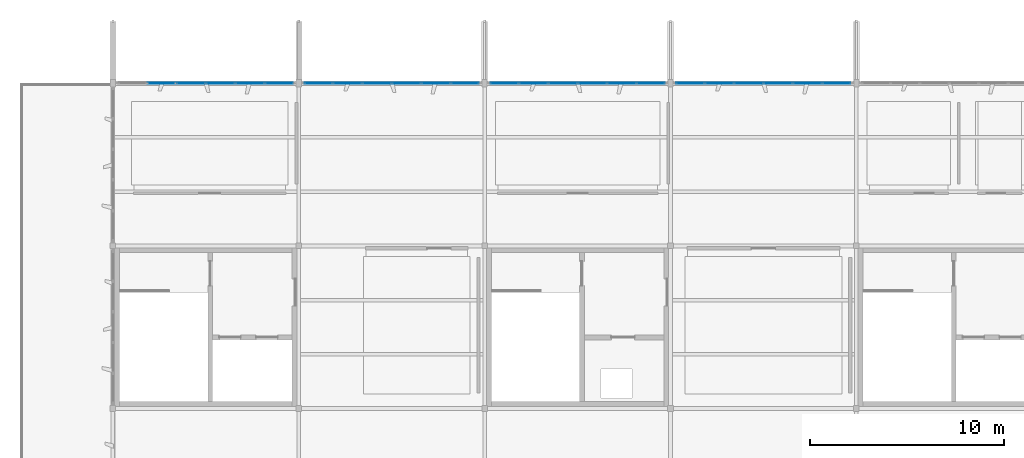
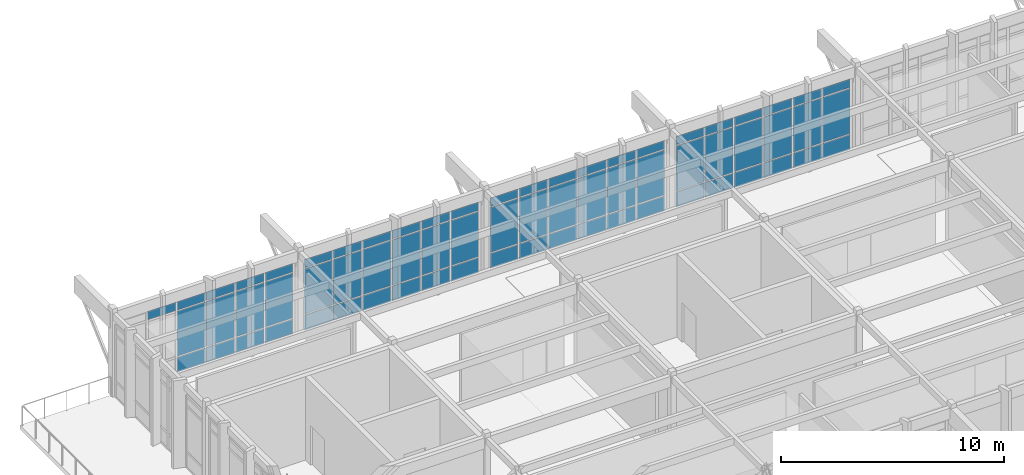
# One storey, part 14 of 19: 67 plates, 4 elements without a shape of their own.
"""IFC4 building model written with IfcOpenShell, lengths in metres."""

from ifc_helpers import new_model, si_unit, direction, frame, origin, origin_2d, place, context, subcontext, project, spatial, rectangle, extrude, material, layer, layer_set, type_object, element, aggregate, save


model = new_model("IFC4")

# Units and contexts
model_context = context("Model", 3, precision=1e-05, world=origin(), true_north=direction((0.0, 1.0)))
body_context = subcontext(model_context, "Body", "Model", "MODEL_VIEW")
ifc_project = project(units=[si_unit("LENGTHUNIT", "METRE"), si_unit("AREAUNIT", "SQUARE_METRE"), si_unit("VOLUMEUNIT", "CUBIC_METRE"), si_unit("PLANEANGLEUNIT", "RADIAN"), si_unit("MASSUNIT", "GRAM", prefix="KILO")], contexts=[model_context])

# Site, building, storey
site_placement = place(None, origin())
site = spatial("IfcSite", under=ifc_project, at=site_placement, CompositionType="ELEMENT")
building_placement = place(site_placement, origin())
building = spatial("IfcBuilding", under=site, at=building_placement, Name="Kolvemor Railside Polytechnic", CompositionType="ELEMENT")
storey_placement = place(building_placement, frame((0.0, 0.0, 27.0)))
storey = spatial("IfcBuildingStorey", under=building, at=storey_placement, Name="L06", CompositionType="ELEMENT", Elevation=27.0)

# Curtain wall, plates
ifc_material_1 = material(Name="Anodised marine aluminium and laminated low-E glass", Category="aluminium")
ifc_layer_1 = layer(ifc_material_1, 0.179931640625, Name="CW-STICK-LIB")
ifc_layer_set_1 = layer_set([ifc_layer_1], Name="Anodised marine aluminium and laminated low-E glass")
curtain_wall_type = type_object("IfcCurtainWallType", Name="CW-STICK-LIB", PredefinedType="USERDEFINED", material=ifc_layer_set_1)
curtain_wall_1_placement = place(storey_placement, origin())
curtain_wall_1 = element("IfcCurtainWall", 1, at=curtain_wall_1_placement, inside=storey, type_object=curtain_wall_type, Name="Curtain Wall L06-141", ObjectType="STICK GLAZED SCREEN", PredefinedType="USERDEFINED")
ifc_material_2 = material(Name="Hurricane-laminated solar-control low-E glass", Category="glass")
ifc_layer_2 = layer(ifc_material_2, 0.033935546875, Name="CWP-GLZ-07")
ifc_layer_set_2 = layer_set([ifc_layer_2], Name="Hurricane-laminated solar-control low-E glass")
plate_type_1 = type_object("IfcPlateType", Name="CWP-GLZ-07", PredefinedType="CURTAIN_PANEL", material=ifc_layer_set_2)
plate_1_placement = place(storey_placement, frame((75.78369140625, 38.39990234375, 0.06494140625), z_axis=(0.0, 0.0, 1.0), x_axis=(-1.0, 0.0, 0.0)))
plate_1 = element("IfcPlate", 2, at=plate_1_placement, type_object=plate_type_1, Name="CW-LIB panel 1.1", PredefinedType="CURTAIN_PANEL", context=body_context, shape_type="SweptSolid", body=[
    extrude(rectangle(XDim=1.422607421875, YDim=0.033935546875, at=origin_2d()), origin(), (0.0, 0.0, 1.0), 0.802490234375),
])
plate_2_placement = place(storey_placement, frame((75.78369140625, 38.39990234375, 0.9326171875), z_axis=(0.0, 0.0, 1.0), x_axis=(-1.0, 0.0, 0.0)))
plate_2 = element("IfcPlate", 3, at=plate_2_placement, type_object=plate_type_1, Name="CW-LIB panel 1.2", PredefinedType="CURTAIN_PANEL", context=body_context, shape_type="SweptSolid", body=[
    extrude(rectangle(XDim=1.422607421875, YDim=0.033935546875, at=origin_2d()), origin(), (0.0, 0.0, 1.0), 2.449951171875),
])
plate_3_placement = place(storey_placement, frame((75.78369140625, 38.39990234375, 3.44775390625), z_axis=(0.0, 0.0, 1.0), x_axis=(-1.0, 0.0, 0.0)))
plate_3 = element("IfcPlate", 4, at=plate_3_placement, type_object=plate_type_1, Name="CW-LIB panel 1.3", PredefinedType="CURTAIN_PANEL", context=body_context, shape_type="SweptSolid", body=[
    extrude(rectangle(XDim=1.422607421875, YDim=0.033935546875, at=origin_2d()), origin(), (0.0, 0.0, 1.0), 0.452392578125),
])
plate_4_placement = place(storey_placement, frame((74.280029296875, 38.39990234375, 0.06494140625), z_axis=(0.0, 0.0, 1.0), x_axis=(-1.0, 0.0, 0.0)))
plate_4 = element("IfcPlate", 5, at=plate_4_placement, type_object=plate_type_1, Name="CW-LIB panel 2.1", PredefinedType="CURTAIN_PANEL", context=body_context, shape_type="SweptSolid", body=[
    extrude(rectangle(XDim=1.455078125, YDim=0.033935546875, at=origin_2d()), origin(), (0.0, 0.0, 1.0), 0.802490234375),
])
plate_5_placement = place(storey_placement, frame((74.280029296875, 38.39990234375, 0.9326171875), z_axis=(0.0, 0.0, 1.0), x_axis=(-1.0, 0.0, 0.0)))
plate_5 = element("IfcPlate", 6, at=plate_5_placement, type_object=plate_type_1, Name="CW-LIB panel 2.2", PredefinedType="CURTAIN_PANEL", context=body_context, shape_type="SweptSolid", body=[
    extrude(rectangle(XDim=1.455078125, YDim=0.033935546875, at=origin_2d()), origin(), (0.0, 0.0, 1.0), 2.449951171875),
])
plate_6_placement = place(storey_placement, frame((74.280029296875, 38.39990234375, 3.44775390625), z_axis=(0.0, 0.0, 1.0), x_axis=(-1.0, 0.0, 0.0)))
plate_6 = element("IfcPlate", 7, at=plate_6_placement, type_object=plate_type_1, Name="CW-LIB panel 2.3", PredefinedType="CURTAIN_PANEL", context=body_context, shape_type="SweptSolid", body=[
    extrude(rectangle(XDim=1.455078125, YDim=0.033935546875, at=origin_2d()), origin(), (0.0, 0.0, 1.0), 0.452392578125),
])
plate_7_placement = place(storey_placement, frame((72.760009765625, 38.39990234375, 0.06494140625), z_axis=(0.0, 0.0, 1.0), x_axis=(-1.0, 0.0, 0.0)))
plate_7 = element("IfcPlate", 8, at=plate_7_placement, type_object=plate_type_1, Name="CW-LIB panel 3.1", PredefinedType="CURTAIN_PANEL", context=body_context, shape_type="SweptSolid", body=[
    extrude(rectangle(XDim=1.455078125, YDim=0.033935546875, at=origin_2d()), origin(), (0.0, 0.0, 1.0), 0.802490234375),
])
plate_8_placement = place(storey_placement, frame((72.760009765625, 38.39990234375, 0.9326171875), z_axis=(0.0, 0.0, 1.0), x_axis=(-1.0, 0.0, 0.0)))
plate_8 = element("IfcPlate", 9, at=plate_8_placement, type_object=plate_type_1, Name="CW-LIB panel 3.2", PredefinedType="CURTAIN_PANEL", context=body_context, shape_type="SweptSolid", body=[
    extrude(rectangle(XDim=1.455078125, YDim=0.033935546875, at=origin_2d()), origin(), (0.0, 0.0, 1.0), 2.449951171875),
])
plate_9_placement = place(storey_placement, frame((72.760009765625, 38.39990234375, 3.44775390625), z_axis=(0.0, 0.0, 1.0), x_axis=(-1.0, 0.0, 0.0)))
plate_9 = element("IfcPlate", 10, at=plate_9_placement, type_object=plate_type_1, Name="CW-LIB panel 3.3", PredefinedType="CURTAIN_PANEL", context=body_context, shape_type="SweptSolid", body=[
    extrude(rectangle(XDim=1.455078125, YDim=0.033935546875, at=origin_2d()), origin(), (0.0, 0.0, 1.0), 0.452392578125),
])
plate_10_placement = place(storey_placement, frame((71.239990234375, 38.39990234375, 0.06494140625), z_axis=(0.0, 0.0, 1.0), x_axis=(-1.0, 0.0, 0.0)))
plate_10 = element("IfcPlate", 11, at=plate_10_placement, type_object=plate_type_1, Name="CW-LIB panel 4.1", PredefinedType="CURTAIN_PANEL", context=body_context, shape_type="SweptSolid", body=[
    extrude(rectangle(XDim=1.455078125, YDim=0.033935546875, at=origin_2d()), origin(), (0.0, 0.0, 1.0), 0.802490234375),
])
plate_11_placement = place(storey_placement, frame((71.239990234375, 38.39990234375, 0.9326171875), z_axis=(0.0, 0.0, 1.0), x_axis=(-1.0, 0.0, 0.0)))
plate_11 = element("IfcPlate", 12, at=plate_11_placement, type_object=plate_type_1, Name="CW-LIB panel 4.2", PredefinedType="CURTAIN_PANEL", context=body_context, shape_type="SweptSolid", body=[
    extrude(rectangle(XDim=1.455078125, YDim=0.033935546875, at=origin_2d()), origin(), (0.0, 0.0, 1.0), 2.449951171875),
])
plate_12_placement = place(storey_placement, frame((71.239990234375, 38.39990234375, 3.44775390625), z_axis=(0.0, 0.0, 1.0), x_axis=(-1.0, 0.0, 0.0)))
plate_12 = element("IfcPlate", 13, at=plate_12_placement, type_object=plate_type_1, Name="CW-LIB panel 4.3", PredefinedType="CURTAIN_PANEL", context=body_context, shape_type="SweptSolid", body=[
    extrude(rectangle(XDim=1.455078125, YDim=0.033935546875, at=origin_2d()), origin(), (0.0, 0.0, 1.0), 0.452392578125),
])
plate_13_placement = place(storey_placement, frame((69.719970703125, 38.39990234375, 3.44775390625), z_axis=(0.0, 0.0, 1.0), x_axis=(-1.0, 0.0, 0.0)))
plate_13 = element("IfcPlate", 14, at=plate_13_placement, type_object=plate_type_1, Name="CW-LIB panel 5.3", PredefinedType="CURTAIN_PANEL", context=body_context, shape_type="SweptSolid", body=[
    extrude(rectangle(XDim=1.455078125, YDim=0.033935546875, at=origin_2d()), origin(), (0.0, 0.0, 1.0), 0.452392578125),
])
aggregate(curtain_wall_1, [plate_1, plate_2, plate_3, plate_4, plate_5, plate_6, plate_7, plate_8, plate_9, plate_10, plate_11, plate_12, plate_13])

curtain_wall_2_placement = place(storey_placement, origin())
curtain_wall_2 = element("IfcCurtainWall", 15, at=curtain_wall_2_placement, inside=storey, type_object=curtain_wall_type, Name="Curtain Wall L06-143", ObjectType="STICK GLAZED SCREEN", PredefinedType="USERDEFINED")
ifc_material_3 = material(Name="Hurricane-laminated solar-control low-E glass", Category="glass")
ifc_layer_3 = layer(ifc_material_3, 0.035888671875, Name="CWP-GLZ-08")
ifc_layer_set_3 = layer_set([ifc_layer_3], Name="Hurricane-laminated solar-control low-E glass")
plate_type_2 = type_object("IfcPlateType", Name="CWP-GLZ-08", PredefinedType="CURTAIN_PANEL", material=ifc_layer_set_3)
plate_14_placement = place(storey_placement, frame((85.3837890625, 38.39990234375, 0.06494140625), z_axis=(0.0, 0.0, 1.0), x_axis=(-1.0, 0.0, 0.0)))
plate_14 = element("IfcPlate", 16, at=plate_14_placement, type_object=plate_type_2, Name="CW-LIB panel 1.1", PredefinedType="CURTAIN_PANEL", context=body_context, shape_type="SweptSolid", body=[
    extrude(rectangle(XDim=1.422607421875, YDim=0.035888671875, at=origin_2d()), origin(), (0.0, 0.0, 1.0), 0.802490234375),
])
plate_15_placement = place(storey_placement, frame((85.3837890625, 38.39990234375, 0.9326171875), z_axis=(0.0, 0.0, 1.0), x_axis=(-1.0, 0.0, 0.0)))
plate_15 = element("IfcPlate", 17, at=plate_15_placement, type_object=plate_type_2, Name="CW-LIB panel 1.2", PredefinedType="CURTAIN_PANEL", context=body_context, shape_type="SweptSolid", body=[
    extrude(rectangle(XDim=1.422607421875, YDim=0.035888671875, at=origin_2d()), origin(), (0.0, 0.0, 1.0), 2.449951171875),
])
plate_16_placement = place(storey_placement, frame((85.3837890625, 38.39990234375, 3.44775390625), z_axis=(0.0, 0.0, 1.0), x_axis=(-1.0, 0.0, 0.0)))
plate_16 = element("IfcPlate", 18, at=plate_16_placement, type_object=plate_type_2, Name="CW-LIB panel 1.3", PredefinedType="CURTAIN_PANEL", context=body_context, shape_type="SweptSolid", body=[
    extrude(rectangle(XDim=1.422607421875, YDim=0.035888671875, at=origin_2d()), origin(), (0.0, 0.0, 1.0), 0.452392578125),
])
plate_17_placement = place(storey_placement, frame((83.8798828125, 38.39990234375, 0.06494140625), z_axis=(0.0, 0.0, 1.0), x_axis=(-1.0, 0.0, 0.0)))
plate_17 = element("IfcPlate", 19, at=plate_17_placement, type_object=plate_type_2, Name="CW-LIB panel 2.1", PredefinedType="CURTAIN_PANEL", context=body_context, shape_type="SweptSolid", body=[
    extrude(rectangle(XDim=1.455078125, YDim=0.035888671875, at=origin_2d()), origin(), (0.0, 0.0, 1.0), 0.802490234375),
])
plate_18_placement = place(storey_placement, frame((83.8798828125, 38.39990234375, 0.9326171875), z_axis=(0.0, 0.0, 1.0), x_axis=(-1.0, 0.0, 0.0)))
plate_18 = element("IfcPlate", 20, at=plate_18_placement, type_object=plate_type_2, Name="CW-LIB panel 2.2", PredefinedType="CURTAIN_PANEL", context=body_context, shape_type="SweptSolid", body=[
    extrude(rectangle(XDim=1.455078125, YDim=0.035888671875, at=origin_2d()), origin(), (0.0, 0.0, 1.0), 2.449951171875),
])
plate_19_placement = place(storey_placement, frame((83.8798828125, 38.39990234375, 3.44775390625), z_axis=(0.0, 0.0, 1.0), x_axis=(-1.0, 0.0, 0.0)))
plate_19 = element("IfcPlate", 21, at=plate_19_placement, type_object=plate_type_2, Name="CW-LIB panel 2.3", PredefinedType="CURTAIN_PANEL", context=body_context, shape_type="SweptSolid", body=[
    extrude(rectangle(XDim=1.455078125, YDim=0.035888671875, at=origin_2d()), origin(), (0.0, 0.0, 1.0), 0.452392578125),
])
plate_20_placement = place(storey_placement, frame((82.360107421875, 38.39990234375, 0.06494140625), z_axis=(0.0, 0.0, 1.0), x_axis=(-1.0, 0.0, 0.0)))
plate_20 = element("IfcPlate", 22, at=plate_20_placement, type_object=plate_type_2, Name="CW-LIB panel 3.1", PredefinedType="CURTAIN_PANEL", context=body_context, shape_type="SweptSolid", body=[
    extrude(rectangle(XDim=1.455078125, YDim=0.035888671875, at=origin_2d()), origin(), (0.0, 0.0, 1.0), 0.802490234375),
])
plate_21_placement = place(storey_placement, frame((82.360107421875, 38.39990234375, 0.9326171875), z_axis=(0.0, 0.0, 1.0), x_axis=(-1.0, 0.0, 0.0)))
plate_21 = element("IfcPlate", 23, at=plate_21_placement, type_object=plate_type_2, Name="CW-LIB panel 3.2", PredefinedType="CURTAIN_PANEL", context=body_context, shape_type="SweptSolid", body=[
    extrude(rectangle(XDim=1.455078125, YDim=0.035888671875, at=origin_2d()), origin(), (0.0, 0.0, 1.0), 2.449951171875),
])
plate_22_placement = place(storey_placement, frame((82.360107421875, 38.39990234375, 3.44775390625), z_axis=(0.0, 0.0, 1.0), x_axis=(-1.0, 0.0, 0.0)))
plate_22 = element("IfcPlate", 24, at=plate_22_placement, type_object=plate_type_2, Name="CW-LIB panel 3.3", PredefinedType="CURTAIN_PANEL", context=body_context, shape_type="SweptSolid", body=[
    extrude(rectangle(XDim=1.455078125, YDim=0.035888671875, at=origin_2d()), origin(), (0.0, 0.0, 1.0), 0.452392578125),
])
plate_23_placement = place(storey_placement, frame((80.840087890625, 38.39990234375, 0.06494140625), z_axis=(0.0, 0.0, 1.0), x_axis=(-1.0, 0.0, 0.0)))
plate_23 = element("IfcPlate", 25, at=plate_23_placement, type_object=plate_type_2, Name="CW-LIB panel 4.1", PredefinedType="CURTAIN_PANEL", context=body_context, shape_type="SweptSolid", body=[
    extrude(rectangle(XDim=1.455078125, YDim=0.035888671875, at=origin_2d()), origin(), (0.0, 0.0, 1.0), 0.802490234375),
])
plate_24_placement = place(storey_placement, frame((80.840087890625, 38.39990234375, 0.9326171875), z_axis=(0.0, 0.0, 1.0), x_axis=(-1.0, 0.0, 0.0)))
plate_24 = element("IfcPlate", 26, at=plate_24_placement, type_object=plate_type_2, Name="CW-LIB panel 4.2", PredefinedType="CURTAIN_PANEL", context=body_context, shape_type="SweptSolid", body=[
    extrude(rectangle(XDim=1.455078125, YDim=0.035888671875, at=origin_2d()), origin(), (0.0, 0.0, 1.0), 2.449951171875),
])
plate_25_placement = place(storey_placement, frame((80.840087890625, 38.39990234375, 3.44775390625), z_axis=(0.0, 0.0, 1.0), x_axis=(-1.0, 0.0, 0.0)))
plate_25 = element("IfcPlate", 27, at=plate_25_placement, type_object=plate_type_2, Name="CW-LIB panel 4.3", PredefinedType="CURTAIN_PANEL", context=body_context, shape_type="SweptSolid", body=[
    extrude(rectangle(XDim=1.455078125, YDim=0.035888671875, at=origin_2d()), origin(), (0.0, 0.0, 1.0), 0.452392578125),
])
plate_26_placement = place(storey_placement, frame((79.320068359375, 38.39990234375, 0.06494140625), z_axis=(0.0, 0.0, 1.0), x_axis=(-1.0, 0.0, 0.0)))
plate_26 = element("IfcPlate", 28, at=plate_26_placement, type_object=plate_type_2, Name="CW-LIB panel 5.1", PredefinedType="CURTAIN_PANEL", context=body_context, shape_type="SweptSolid", body=[
    extrude(rectangle(XDim=1.455078125, YDim=0.035888671875, at=origin_2d()), origin(), (0.0, 0.0, 1.0), 0.802490234375),
])
plate_27_placement = place(storey_placement, frame((79.320068359375, 38.39990234375, 0.9326171875), z_axis=(0.0, 0.0, 1.0), x_axis=(-1.0, 0.0, 0.0)))
plate_27 = element("IfcPlate", 29, at=plate_27_placement, type_object=plate_type_2, Name="CW-LIB panel 5.2", PredefinedType="CURTAIN_PANEL", context=body_context, shape_type="SweptSolid", body=[
    extrude(rectangle(XDim=1.455078125, YDim=0.035888671875, at=origin_2d()), origin(), (0.0, 0.0, 1.0), 2.449951171875),
])
plate_28_placement = place(storey_placement, frame((79.320068359375, 38.39990234375, 3.44775390625), z_axis=(0.0, 0.0, 1.0), x_axis=(-1.0, 0.0, 0.0)))
plate_28 = element("IfcPlate", 30, at=plate_28_placement, type_object=plate_type_2, Name="CW-LIB panel 5.3", PredefinedType="CURTAIN_PANEL", context=body_context, shape_type="SweptSolid", body=[
    extrude(rectangle(XDim=1.455078125, YDim=0.035888671875, at=origin_2d()), origin(), (0.0, 0.0, 1.0), 0.452392578125),
])
plate_29_placement = place(storey_placement, frame((77.816162109375, 38.39990234375, 0.06494140625), z_axis=(0.0, 0.0, 1.0), x_axis=(-1.0, 0.0, 0.0)))
plate_29 = element("IfcPlate", 31, at=plate_29_placement, type_object=plate_type_2, Name="CW-LIB panel 6.1", PredefinedType="CURTAIN_PANEL", context=body_context, shape_type="SweptSolid", body=[
    extrude(rectangle(XDim=1.422607421875, YDim=0.035888671875, at=origin_2d()), origin(), (0.0, 0.0, 1.0), 0.802490234375),
])
plate_30_placement = place(storey_placement, frame((77.816162109375, 38.39990234375, 0.9326171875), z_axis=(0.0, 0.0, 1.0), x_axis=(-1.0, 0.0, 0.0)))
plate_30 = element("IfcPlate", 32, at=plate_30_placement, type_object=plate_type_2, Name="CW-LIB panel 6.2", PredefinedType="CURTAIN_PANEL", context=body_context, shape_type="SweptSolid", body=[
    extrude(rectangle(XDim=1.422607421875, YDim=0.035888671875, at=origin_2d()), origin(), (0.0, 0.0, 1.0), 2.449951171875),
])
plate_31_placement = place(storey_placement, frame((77.816162109375, 38.39990234375, 3.44775390625), z_axis=(0.0, 0.0, 1.0), x_axis=(-1.0, 0.0, 0.0)))
plate_31 = element("IfcPlate", 33, at=plate_31_placement, type_object=plate_type_2, Name="CW-LIB panel 6.3", PredefinedType="CURTAIN_PANEL", context=body_context, shape_type="SweptSolid", body=[
    extrude(rectangle(XDim=1.422607421875, YDim=0.035888671875, at=origin_2d()), origin(), (0.0, 0.0, 1.0), 0.452392578125),
])
aggregate(curtain_wall_2, [plate_14, plate_15, plate_16, plate_17, plate_18, plate_19, plate_20, plate_21, plate_22, plate_23, plate_24, plate_25, plate_26, plate_27, plate_28, plate_29, plate_30, plate_31])

curtain_wall_3_placement = place(storey_placement, origin())
curtain_wall_3 = element("IfcCurtainWall", 34, at=curtain_wall_3_placement, inside=storey, type_object=curtain_wall_type, Name="Curtain Wall L06-145", ObjectType="STICK GLAZED SCREEN", PredefinedType="USERDEFINED")
ifc_material_4 = material(Name="Hurricane-laminated solar-control low-E glass", Category="glass")
ifc_layer_4 = layer(ifc_material_4, 0.0380859375, Name="CWP-GLZ-09")
ifc_layer_set_4 = layer_set([ifc_layer_4], Name="Hurricane-laminated solar-control low-E glass")
plate_type_3 = type_object("IfcPlateType", Name="CWP-GLZ-09", PredefinedType="CURTAIN_PANEL", material=ifc_layer_set_4)
plate_32_placement = place(storey_placement, frame((94.983642578125, 38.39990234375, 0.06494140625), z_axis=(0.0, 0.0, 1.0), x_axis=(-1.0, 0.0, 0.0)))
plate_32 = element("IfcPlate", 35, at=plate_32_placement, type_object=plate_type_3, Name="CW-LIB panel 1.1", PredefinedType="CURTAIN_PANEL", context=body_context, shape_type="SweptSolid", body=[
    extrude(rectangle(XDim=1.422607421875, YDim=0.0380859375, at=origin_2d()), origin(), (0.0, 0.0, 1.0), 0.802490234375),
])
plate_33_placement = place(storey_placement, frame((94.983642578125, 38.39990234375, 0.9326171875), z_axis=(0.0, 0.0, 1.0), x_axis=(-1.0, 0.0, 0.0)))
plate_33 = element("IfcPlate", 36, at=plate_33_placement, type_object=plate_type_3, Name="CW-LIB panel 1.2", PredefinedType="CURTAIN_PANEL", context=body_context, shape_type="SweptSolid", body=[
    extrude(rectangle(XDim=1.422607421875, YDim=0.0380859375, at=origin_2d()), origin(), (0.0, 0.0, 1.0), 2.449951171875),
])
plate_34_placement = place(storey_placement, frame((94.983642578125, 38.39990234375, 3.44775390625), z_axis=(0.0, 0.0, 1.0), x_axis=(-1.0, 0.0, 0.0)))
plate_34 = element("IfcPlate", 37, at=plate_34_placement, type_object=plate_type_3, Name="CW-LIB panel 1.3", PredefinedType="CURTAIN_PANEL", context=body_context, shape_type="SweptSolid", body=[
    extrude(rectangle(XDim=1.422607421875, YDim=0.0380859375, at=origin_2d()), origin(), (0.0, 0.0, 1.0), 0.452392578125),
])
plate_35_placement = place(storey_placement, frame((93.47998046875, 38.39990234375, 0.06494140625), z_axis=(0.0, 0.0, 1.0), x_axis=(-1.0, 0.0, 0.0)))
plate_35 = element("IfcPlate", 38, at=plate_35_placement, type_object=plate_type_3, Name="CW-LIB panel 2.1", PredefinedType="CURTAIN_PANEL", context=body_context, shape_type="SweptSolid", body=[
    extrude(rectangle(XDim=1.455078125, YDim=0.0380859375, at=origin_2d()), origin(), (0.0, 0.0, 1.0), 0.802490234375),
])
plate_36_placement = place(storey_placement, frame((93.47998046875, 38.39990234375, 0.9326171875), z_axis=(0.0, 0.0, 1.0), x_axis=(-1.0, 0.0, 0.0)))
plate_36 = element("IfcPlate", 39, at=plate_36_placement, type_object=plate_type_3, Name="CW-LIB panel 2.2", PredefinedType="CURTAIN_PANEL", context=body_context, shape_type="SweptSolid", body=[
    extrude(rectangle(XDim=1.455078125, YDim=0.0380859375, at=origin_2d()), origin(), (0.0, 0.0, 1.0), 2.449951171875),
])
plate_37_placement = place(storey_placement, frame((93.47998046875, 38.39990234375, 3.44775390625), z_axis=(0.0, 0.0, 1.0), x_axis=(-1.0, 0.0, 0.0)))
plate_37 = element("IfcPlate", 40, at=plate_37_placement, type_object=plate_type_3, Name="CW-LIB panel 2.3", PredefinedType="CURTAIN_PANEL", context=body_context, shape_type="SweptSolid", body=[
    extrude(rectangle(XDim=1.455078125, YDim=0.0380859375, at=origin_2d()), origin(), (0.0, 0.0, 1.0), 0.452392578125),
])
plate_38_placement = place(storey_placement, frame((91.9599609375, 38.39990234375, 0.06494140625), z_axis=(0.0, 0.0, 1.0), x_axis=(-1.0, 0.0, 0.0)))
plate_38 = element("IfcPlate", 41, at=plate_38_placement, type_object=plate_type_3, Name="CW-LIB panel 3.1", PredefinedType="CURTAIN_PANEL", context=body_context, shape_type="SweptSolid", body=[
    extrude(rectangle(XDim=1.455078125, YDim=0.0380859375, at=origin_2d()), origin(), (0.0, 0.0, 1.0), 0.802490234375),
])
plate_39_placement = place(storey_placement, frame((91.9599609375, 38.39990234375, 0.9326171875), z_axis=(0.0, 0.0, 1.0), x_axis=(-1.0, 0.0, 0.0)))
plate_39 = element("IfcPlate", 42, at=plate_39_placement, type_object=plate_type_3, Name="CW-LIB panel 3.2", PredefinedType="CURTAIN_PANEL", context=body_context, shape_type="SweptSolid", body=[
    extrude(rectangle(XDim=1.455078125, YDim=0.0380859375, at=origin_2d()), origin(), (0.0, 0.0, 1.0), 2.449951171875),
])
plate_40_placement = place(storey_placement, frame((91.9599609375, 38.39990234375, 3.44775390625), z_axis=(0.0, 0.0, 1.0), x_axis=(-1.0, 0.0, 0.0)))
plate_40 = element("IfcPlate", 43, at=plate_40_placement, type_object=plate_type_3, Name="CW-LIB panel 3.3", PredefinedType="CURTAIN_PANEL", context=body_context, shape_type="SweptSolid", body=[
    extrude(rectangle(XDim=1.455078125, YDim=0.0380859375, at=origin_2d()), origin(), (0.0, 0.0, 1.0), 0.452392578125),
])
plate_41_placement = place(storey_placement, frame((90.43994140625, 38.39990234375, 0.06494140625), z_axis=(0.0, 0.0, 1.0), x_axis=(-1.0, 0.0, 0.0)))
plate_41 = element("IfcPlate", 44, at=plate_41_placement, type_object=plate_type_3, Name="CW-LIB panel 4.1", PredefinedType="CURTAIN_PANEL", context=body_context, shape_type="SweptSolid", body=[
    extrude(rectangle(XDim=1.455078125, YDim=0.0380859375, at=origin_2d()), origin(), (0.0, 0.0, 1.0), 0.802490234375),
])
plate_42_placement = place(storey_placement, frame((90.43994140625, 38.39990234375, 0.9326171875), z_axis=(0.0, 0.0, 1.0), x_axis=(-1.0, 0.0, 0.0)))
plate_42 = element("IfcPlate", 45, at=plate_42_placement, type_object=plate_type_3, Name="CW-LIB panel 4.2", PredefinedType="CURTAIN_PANEL", context=body_context, shape_type="SweptSolid", body=[
    extrude(rectangle(XDim=1.455078125, YDim=0.0380859375, at=origin_2d()), origin(), (0.0, 0.0, 1.0), 2.449951171875),
])
plate_43_placement = place(storey_placement, frame((90.43994140625, 38.39990234375, 3.44775390625), z_axis=(0.0, 0.0, 1.0), x_axis=(-1.0, 0.0, 0.0)))
plate_43 = element("IfcPlate", 46, at=plate_43_placement, type_object=plate_type_3, Name="CW-LIB panel 4.3", PredefinedType="CURTAIN_PANEL", context=body_context, shape_type="SweptSolid", body=[
    extrude(rectangle(XDim=1.455078125, YDim=0.0380859375, at=origin_2d()), origin(), (0.0, 0.0, 1.0), 0.452392578125),
])
plate_44_placement = place(storey_placement, frame((88.919921875, 38.39990234375, 0.06494140625), z_axis=(0.0, 0.0, 1.0), x_axis=(-1.0, 0.0, 0.0)))
plate_44 = element("IfcPlate", 47, at=plate_44_placement, type_object=plate_type_3, Name="CW-LIB panel 5.1", PredefinedType="CURTAIN_PANEL", context=body_context, shape_type="SweptSolid", body=[
    extrude(rectangle(XDim=1.455078125, YDim=0.0380859375, at=origin_2d()), origin(), (0.0, 0.0, 1.0), 0.802490234375),
])
plate_45_placement = place(storey_placement, frame((88.919921875, 38.39990234375, 0.9326171875), z_axis=(0.0, 0.0, 1.0), x_axis=(-1.0, 0.0, 0.0)))
plate_45 = element("IfcPlate", 48, at=plate_45_placement, type_object=plate_type_3, Name="CW-LIB panel 5.2", PredefinedType="CURTAIN_PANEL", context=body_context, shape_type="SweptSolid", body=[
    extrude(rectangle(XDim=1.455078125, YDim=0.0380859375, at=origin_2d()), origin(), (0.0, 0.0, 1.0), 2.449951171875),
])
plate_46_placement = place(storey_placement, frame((88.919921875, 38.39990234375, 3.44775390625), z_axis=(0.0, 0.0, 1.0), x_axis=(-1.0, 0.0, 0.0)))
plate_46 = element("IfcPlate", 49, at=plate_46_placement, type_object=plate_type_3, Name="CW-LIB panel 5.3", PredefinedType="CURTAIN_PANEL", context=body_context, shape_type="SweptSolid", body=[
    extrude(rectangle(XDim=1.455078125, YDim=0.0380859375, at=origin_2d()), origin(), (0.0, 0.0, 1.0), 0.452392578125),
])
plate_47_placement = place(storey_placement, frame((87.416259765625, 38.39990234375, 0.06494140625), z_axis=(0.0, 0.0, 1.0), x_axis=(-1.0, 0.0, 0.0)))
plate_47 = element("IfcPlate", 50, at=plate_47_placement, type_object=plate_type_3, Name="CW-LIB panel 6.1", PredefinedType="CURTAIN_PANEL", context=body_context, shape_type="SweptSolid", body=[
    extrude(rectangle(XDim=1.422607421875, YDim=0.0380859375, at=origin_2d()), origin(), (0.0, 0.0, 1.0), 0.802490234375),
])
plate_48_placement = place(storey_placement, frame((87.416259765625, 38.39990234375, 0.9326171875), z_axis=(0.0, 0.0, 1.0), x_axis=(-1.0, 0.0, 0.0)))
plate_48 = element("IfcPlate", 51, at=plate_48_placement, type_object=plate_type_3, Name="CW-LIB panel 6.2", PredefinedType="CURTAIN_PANEL", context=body_context, shape_type="SweptSolid", body=[
    extrude(rectangle(XDim=1.422607421875, YDim=0.0380859375, at=origin_2d()), origin(), (0.0, 0.0, 1.0), 2.449951171875),
])
plate_49_placement = place(storey_placement, frame((87.416259765625, 38.39990234375, 3.44775390625), z_axis=(0.0, 0.0, 1.0), x_axis=(-1.0, 0.0, 0.0)))
plate_49 = element("IfcPlate", 52, at=plate_49_placement, type_object=plate_type_3, Name="CW-LIB panel 6.3", PredefinedType="CURTAIN_PANEL", context=body_context, shape_type="SweptSolid", body=[
    extrude(rectangle(XDim=1.422607421875, YDim=0.0380859375, at=origin_2d()), origin(), (0.0, 0.0, 1.0), 0.452392578125),
])
aggregate(curtain_wall_3, [plate_32, plate_33, plate_34, plate_35, plate_36, plate_37, plate_38, plate_39, plate_40, plate_41, plate_42, plate_43, plate_44, plate_45, plate_46, plate_47, plate_48, plate_49])

curtain_wall_4_placement = place(storey_placement, origin())
curtain_wall_4 = element("IfcCurtainWall", 53, at=curtain_wall_4_placement, inside=storey, type_object=curtain_wall_type, Name="Curtain Wall L06-146", ObjectType="STICK GLAZED SCREEN", PredefinedType="USERDEFINED")
ifc_material_5 = material(Name="Hurricane-laminated solar-control low-E glass", Category="glass")
ifc_layer_5 = layer(ifc_material_5, 0.0400390625, Name="CWP-GLZ-10")
ifc_layer_set_5 = layer_set([ifc_layer_5], Name="Hurricane-laminated solar-control low-E glass")
plate_type_4 = type_object("IfcPlateType", Name="CWP-GLZ-10", PredefinedType="CURTAIN_PANEL", material=ifc_layer_set_5)
plate_50_placement = place(storey_placement, frame((104.583740234375, 38.39990234375, 0.06494140625), z_axis=(0.0, 0.0, 1.0), x_axis=(-1.0, 0.0, 0.0)))
plate_50 = element("IfcPlate", 54, at=plate_50_placement, type_object=plate_type_4, Name="CW-LIB panel 1.1", PredefinedType="CURTAIN_PANEL", context=body_context, shape_type="SweptSolid", body=[
    extrude(rectangle(XDim=1.422607421875, YDim=0.0400390625, at=origin_2d()), origin(), (0.0, 0.0, 1.0), 0.802490234375),
])
plate_51_placement = place(storey_placement, frame((104.583740234375, 38.39990234375, 0.9326171875), z_axis=(0.0, 0.0, 1.0), x_axis=(-1.0, 0.0, 0.0)))
plate_51 = element("IfcPlate", 55, at=plate_51_placement, type_object=plate_type_4, Name="CW-LIB panel 1.2", PredefinedType="CURTAIN_PANEL", context=body_context, shape_type="SweptSolid", body=[
    extrude(rectangle(XDim=1.422607421875, YDim=0.0400390625, at=origin_2d()), origin(), (0.0, 0.0, 1.0), 2.449951171875),
])
plate_52_placement = place(storey_placement, frame((104.583740234375, 38.39990234375, 3.44775390625), z_axis=(0.0, 0.0, 1.0), x_axis=(-1.0, 0.0, 0.0)))
plate_52 = element("IfcPlate", 56, at=plate_52_placement, type_object=plate_type_4, Name="CW-LIB panel 1.3", PredefinedType="CURTAIN_PANEL", context=body_context, shape_type="SweptSolid", body=[
    extrude(rectangle(XDim=1.422607421875, YDim=0.0400390625, at=origin_2d()), origin(), (0.0, 0.0, 1.0), 0.452392578125),
])
plate_53_placement = place(storey_placement, frame((103.080078125, 38.39990234375, 0.06494140625), z_axis=(0.0, 0.0, 1.0), x_axis=(-1.0, 0.0, 0.0)))
plate_53 = element("IfcPlate", 57, at=plate_53_placement, type_object=plate_type_4, Name="CW-LIB panel 2.1", PredefinedType="CURTAIN_PANEL", context=body_context, shape_type="SweptSolid", body=[
    extrude(rectangle(XDim=1.455078125, YDim=0.0400390625, at=origin_2d()), origin(), (0.0, 0.0, 1.0), 0.802490234375),
])
plate_54_placement = place(storey_placement, frame((103.080078125, 38.39990234375, 0.9326171875), z_axis=(0.0, 0.0, 1.0), x_axis=(-1.0, 0.0, 0.0)))
plate_54 = element("IfcPlate", 58, at=plate_54_placement, type_object=plate_type_4, Name="CW-LIB panel 2.2", PredefinedType="CURTAIN_PANEL", context=body_context, shape_type="SweptSolid", body=[
    extrude(rectangle(XDim=1.455078125, YDim=0.0400390625, at=origin_2d()), origin(), (0.0, 0.0, 1.0), 2.449951171875),
])
plate_55_placement = place(storey_placement, frame((103.080078125, 38.39990234375, 3.44775390625), z_axis=(0.0, 0.0, 1.0), x_axis=(-1.0, 0.0, 0.0)))
plate_55 = element("IfcPlate", 59, at=plate_55_placement, type_object=plate_type_4, Name="CW-LIB panel 2.3", PredefinedType="CURTAIN_PANEL", context=body_context, shape_type="SweptSolid", body=[
    extrude(rectangle(XDim=1.455078125, YDim=0.0400390625, at=origin_2d()), origin(), (0.0, 0.0, 1.0), 0.452392578125),
])
plate_56_placement = place(storey_placement, frame((101.56005859375, 38.39990234375, 0.06494140625), z_axis=(0.0, 0.0, 1.0), x_axis=(-1.0, 0.0, 0.0)))
plate_56 = element("IfcPlate", 60, at=plate_56_placement, type_object=plate_type_4, Name="CW-LIB panel 3.1", PredefinedType="CURTAIN_PANEL", context=body_context, shape_type="SweptSolid", body=[
    extrude(rectangle(XDim=1.455078125, YDim=0.0400390625, at=origin_2d()), origin(), (0.0, 0.0, 1.0), 0.802490234375),
])
plate_57_placement = place(storey_placement, frame((101.56005859375, 38.39990234375, 0.9326171875), z_axis=(0.0, 0.0, 1.0), x_axis=(-1.0, 0.0, 0.0)))
plate_57 = element("IfcPlate", 61, at=plate_57_placement, type_object=plate_type_4, Name="CW-LIB panel 3.2", PredefinedType="CURTAIN_PANEL", context=body_context, shape_type="SweptSolid", body=[
    extrude(rectangle(XDim=1.455078125, YDim=0.0400390625, at=origin_2d()), origin(), (0.0, 0.0, 1.0), 2.449951171875),
])
plate_58_placement = place(storey_placement, frame((101.56005859375, 38.39990234375, 3.44775390625), z_axis=(0.0, 0.0, 1.0), x_axis=(-1.0, 0.0, 0.0)))
plate_58 = element("IfcPlate", 62, at=plate_58_placement, type_object=plate_type_4, Name="CW-LIB panel 3.3", PredefinedType="CURTAIN_PANEL", context=body_context, shape_type="SweptSolid", body=[
    extrude(rectangle(XDim=1.455078125, YDim=0.0400390625, at=origin_2d()), origin(), (0.0, 0.0, 1.0), 0.452392578125),
])
plate_59_placement = place(storey_placement, frame((100.0400390625, 38.39990234375, 0.06494140625), z_axis=(0.0, 0.0, 1.0), x_axis=(-1.0, 0.0, 0.0)))
plate_59 = element("IfcPlate", 63, at=plate_59_placement, type_object=plate_type_4, Name="CW-LIB panel 4.1", PredefinedType="CURTAIN_PANEL", context=body_context, shape_type="SweptSolid", body=[
    extrude(rectangle(XDim=1.455078125, YDim=0.0400390625, at=origin_2d()), origin(), (0.0, 0.0, 1.0), 0.802490234375),
])
plate_60_placement = place(storey_placement, frame((100.0400390625, 38.39990234375, 0.9326171875), z_axis=(0.0, 0.0, 1.0), x_axis=(-1.0, 0.0, 0.0)))
plate_60 = element("IfcPlate", 64, at=plate_60_placement, type_object=plate_type_4, Name="CW-LIB panel 4.2", PredefinedType="CURTAIN_PANEL", context=body_context, shape_type="SweptSolid", body=[
    extrude(rectangle(XDim=1.455078125, YDim=0.0400390625, at=origin_2d()), origin(), (0.0, 0.0, 1.0), 2.449951171875),
])
plate_61_placement = place(storey_placement, frame((100.0400390625, 38.39990234375, 3.44775390625), z_axis=(0.0, 0.0, 1.0), x_axis=(-1.0, 0.0, 0.0)))
plate_61 = element("IfcPlate", 65, at=plate_61_placement, type_object=plate_type_4, Name="CW-LIB panel 4.3", PredefinedType="CURTAIN_PANEL", context=body_context, shape_type="SweptSolid", body=[
    extrude(rectangle(XDim=1.455078125, YDim=0.0400390625, at=origin_2d()), origin(), (0.0, 0.0, 1.0), 0.452392578125),
])
plate_62_placement = place(storey_placement, frame((98.52001953125, 38.39990234375, 0.06494140625), z_axis=(0.0, 0.0, 1.0), x_axis=(-1.0, 0.0, 0.0)))
plate_62 = element("IfcPlate", 66, at=plate_62_placement, type_object=plate_type_4, Name="CW-LIB panel 5.1", PredefinedType="CURTAIN_PANEL", context=body_context, shape_type="SweptSolid", body=[
    extrude(rectangle(XDim=1.455078125, YDim=0.0400390625, at=origin_2d()), origin(), (0.0, 0.0, 1.0), 0.802490234375),
])
plate_63_placement = place(storey_placement, frame((98.52001953125, 38.39990234375, 0.9326171875), z_axis=(0.0, 0.0, 1.0), x_axis=(-1.0, 0.0, 0.0)))
plate_63 = element("IfcPlate", 67, at=plate_63_placement, type_object=plate_type_4, Name="CW-LIB panel 5.2", PredefinedType="CURTAIN_PANEL", context=body_context, shape_type="SweptSolid", body=[
    extrude(rectangle(XDim=1.455078125, YDim=0.0400390625, at=origin_2d()), origin(), (0.0, 0.0, 1.0), 2.449951171875),
])
plate_64_placement = place(storey_placement, frame((98.52001953125, 38.39990234375, 3.44775390625), z_axis=(0.0, 0.0, 1.0), x_axis=(-1.0, 0.0, 0.0)))
plate_64 = element("IfcPlate", 68, at=plate_64_placement, type_object=plate_type_4, Name="CW-LIB panel 5.3", PredefinedType="CURTAIN_PANEL", context=body_context, shape_type="SweptSolid", body=[
    extrude(rectangle(XDim=1.455078125, YDim=0.0400390625, at=origin_2d()), origin(), (0.0, 0.0, 1.0), 0.452392578125),
])
plate_65_placement = place(storey_placement, frame((97.016357421875, 38.39990234375, 0.06494140625), z_axis=(0.0, 0.0, 1.0), x_axis=(-1.0, 0.0, 0.0)))
plate_65 = element("IfcPlate", 69, at=plate_65_placement, type_object=plate_type_4, Name="CW-LIB panel 6.1", PredefinedType="CURTAIN_PANEL", context=body_context, shape_type="SweptSolid", body=[
    extrude(rectangle(XDim=1.422607421875, YDim=0.0400390625, at=origin_2d()), origin(), (0.0, 0.0, 1.0), 0.802490234375),
])
plate_66_placement = place(storey_placement, frame((97.016357421875, 38.39990234375, 0.9326171875), z_axis=(0.0, 0.0, 1.0), x_axis=(-1.0, 0.0, 0.0)))
plate_66 = element("IfcPlate", 70, at=plate_66_placement, type_object=plate_type_4, Name="CW-LIB panel 6.2", PredefinedType="CURTAIN_PANEL", context=body_context, shape_type="SweptSolid", body=[
    extrude(rectangle(XDim=1.422607421875, YDim=0.0400390625, at=origin_2d()), origin(), (0.0, 0.0, 1.0), 2.449951171875),
])
plate_67_placement = place(storey_placement, frame((97.016357421875, 38.39990234375, 3.44775390625), z_axis=(0.0, 0.0, 1.0), x_axis=(-1.0, 0.0, 0.0)))
plate_67 = element("IfcPlate", 71, at=plate_67_placement, type_object=plate_type_4, Name="CW-LIB panel 6.3", PredefinedType="CURTAIN_PANEL", context=body_context, shape_type="SweptSolid", body=[
    extrude(rectangle(XDim=1.422607421875, YDim=0.0400390625, at=origin_2d()), origin(), (0.0, 0.0, 1.0), 0.452392578125),
])
aggregate(curtain_wall_4, [plate_50, plate_51, plate_52, plate_53, plate_54, plate_55, plate_56, plate_57, plate_58, plate_59, plate_60, plate_61, plate_62, plate_63, plate_64, plate_65, plate_66, plate_67])

save(model, "model.ifc")
